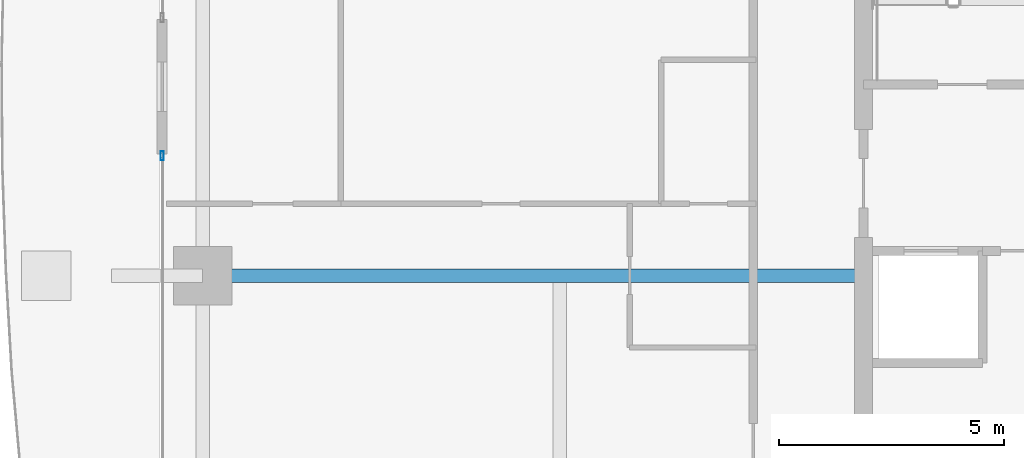
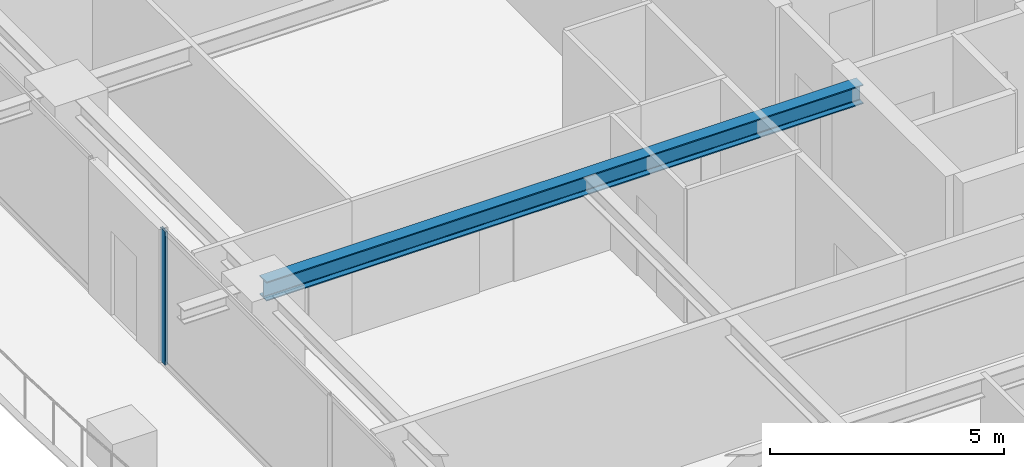
# One storey, part 8 of 34: 1 beam, 1 member, 1 element without a shape of its own.
"""IFC4 building model written with IfcOpenShell, lengths in metres."""

from ifc_helpers import new_model, si_unit, direction, frame, origin, origin_2d, place, context, subcontext, project, spatial, hollow_rectangle, i_section, extrude, source, transform, mapped, material, layer, layer_set, material_profile, profile_set, type_object, element, aggregate, save


model = new_model("IFC4")

# Units and contexts
model_context = context("Model", 3, precision=1e-05, world=origin(), true_north=direction((0.0, 1.0)))
body_context = subcontext(model_context, "Body", "Model", "MODEL_VIEW")
ifc_project = project(units=[si_unit("LENGTHUNIT", "METRE"), si_unit("AREAUNIT", "SQUARE_METRE"), si_unit("VOLUMEUNIT", "CUBIC_METRE"), si_unit("PLANEANGLEUNIT", "RADIAN"), si_unit("MASSUNIT", "GRAM", prefix="KILO")], contexts=[model_context])

# Site, building, storey
site_placement = place(None, origin())
site = spatial("IfcSite", under=ifc_project, at=site_placement, CompositionType="ELEMENT")
building_placement = place(site_placement, origin())
building = spatial("IfcBuilding", under=site, at=building_placement, Name="Serunith Strait Residences", CompositionType="ELEMENT")
storey_placement = place(building_placement, frame((0.0, 0.0, 187.64990234375)))
storey = spatial("IfcBuildingStorey", under=building, at=storey_placement, Name="L47", CompositionType="ELEMENT", Elevation=187.64990234375)

# Beam
ifc_material_1 = material(Name="Steel S355J2", Category="steel")
ifc_material_profile_1 = material_profile(ifc_material_1, i_section(OverallWidth=0.300048828125, OverallDepth=0.5, WebThickness=0.014404296875, FlangeThickness=0.028076171875, FilletRadius=0.027099609375, at=origin_2d()), Name="HEB 500")
ifc_profile_set_1 = profile_set([ifc_material_profile_1], Name="Steel S355J2")
beam_type = type_object("IfcBeamType", Name="BM-HEB500", PredefinedType="BEAM", material=ifc_profile_set_1)
shared_shape_1 = source(origin(), body_context, "Body", "SweptSolid", [
    extrude(i_section(OverallWidth=0.300048828125, OverallDepth=0.5, WebThickness=0.014404296875, FlangeThickness=0.028076171875, FilletRadius=0.027099609375, at=origin_2d()), origin(), (0.0, 0.0, 1.0), 14.699951171875),
])
beam_placement = place(storey_placement, frame((23.39990234375, 21.0, 3.237060546875), z_axis=(-1.0, 0.0, 0.0), x_axis=(0.0, -1.0, 0.0)))
element("IfcBeam", 1, at=beam_placement, inside=storey, type_object=beam_type, Name="L47 Primary Floor Girder TC-W2", PredefinedType="BEAM", context=body_context, shape_type="MappedRepresentation", body=[
    mapped(shared_shape_1, transform((0.0, 0.0, 0.0), scale=1.0)),
])

# Curtain wall, member
ifc_material_2 = material(Name="Pale-Champagne Anodised Aluminium", Category="aluminium")
ifc_layer = layer(ifc_material_2, 0.199951171875, Name="Pale-Champagne Anodised Aluminium")
ifc_layer_set = layer_set([ifc_layer], Name="Pale-Champagne Anodised Aluminium")
curtain_wall_type = type_object("IfcCurtainWallType", Name="CW-SYS2", PredefinedType="NOTDEFINED", material=ifc_layer_set)
curtain_wall_placement = place(storey_placement, origin())
curtain_wall = element("IfcCurtainWall", 2, at=curtain_wall_placement, inside=storey, type_object=curtain_wall_type, Name="L47 W Unitised Fritted Curtain Wall", PredefinedType="NOTDEFINED")
ifc_material_profile_2 = material_profile(ifc_material_2, hollow_rectangle(XDim=0.070068359375, YDim=0.199951171875, WallThickness=0.00390625, InnerFilletRadius=0.006103515625, OuterFilletRadius=0.010009765625, at=origin_2d()), Name="ALU 200x70x4")
ifc_profile_set_2 = profile_set([ifc_material_profile_2], Name="Pale-Champagne Anodised Aluminium")
member_type = type_object("IfcMemberType", Name="CW-SYS2-MULL", PredefinedType="MULLION", material=ifc_profile_set_2)
shared_shape_2 = source(origin(), body_context, "Body", "SweptSolid", [
    extrude(hollow_rectangle(XDim=0.070068359375, YDim=0.199951171875, WallThickness=0.00390625, InnerFilletRadius=0.006103515625, OuterFilletRadius=0.010009765625, at=origin_2d()), origin(), (0.0, 0.0, 1.0), 3.47509765625),
])
member_placement = place(storey_placement, frame((7.800048828125, 23.6650390625, 0.0), z_axis=(0.0, 0.0, 1.0), x_axis=(1.0, 0.0, 0.0)))
member = element("IfcMember", 3, at=member_placement, type_object=member_type, Name="CW-2 mullion 1", PredefinedType="MULLION", context=body_context, shape_type="MappedRepresentation", body=[
    mapped(shared_shape_2, transform((0.0, 0.0, 0.0), scale=1.0)),
])
aggregate(curtain_wall, [member])

save(model, "model.ifc")
